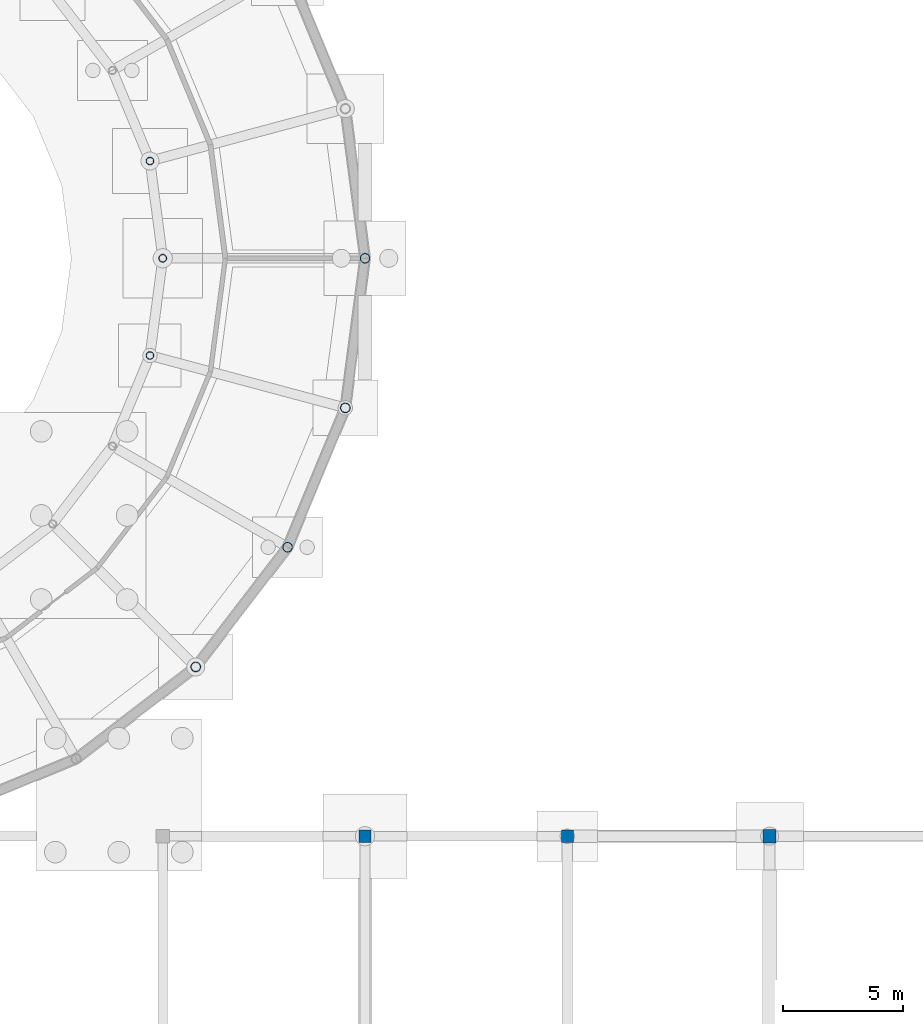
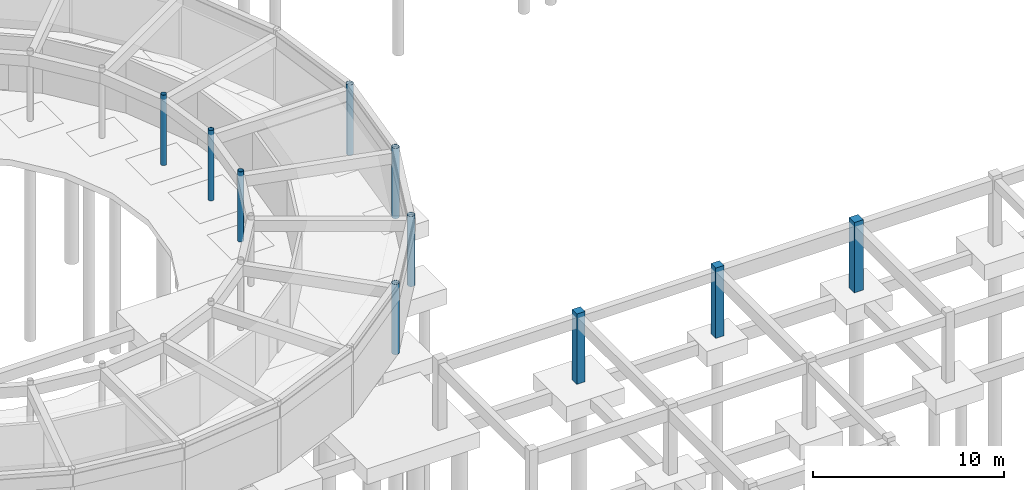
# One storey, part 15 of 43: 10 columns.
"""IFC4 building model written with IfcOpenShell, lengths in metres."""

from ifc_helpers import new_model, si_unit, derived_unit, direction, frame, origin, origin_2d, place, context, subcontext, project, spatial, rectangle, hollow_circle, extrude, material, material_profile, profile_set, type_object, element, save


model = new_model("IFC4")

# Units and contexts
model_context = context("Model", 3, precision=1e-05, world=origin(), true_north=direction((0.0, 1.0)))
body_context = subcontext(model_context, "Body", "Model", "MODEL_VIEW")
ifc_project = project(units=[si_unit("LENGTHUNIT", "METRE"), si_unit("AREAUNIT", "SQUARE_METRE"), si_unit("VOLUMEUNIT", "CUBIC_METRE"), si_unit("PLANEANGLEUNIT", "RADIAN"), si_unit("MASSUNIT", "GRAM", prefix="KILO"), derived_unit("THERMALTRANSMITTANCEUNIT", [(si_unit("POWERUNIT", "WATT"), 1), (si_unit("AREAUNIT", "SQUARE_METRE"), -1), (si_unit("THERMODYNAMICTEMPERATUREUNIT", "KELVIN"), -1)])], contexts=[model_context])

# Site, building, storey
site_placement = place(None, origin())
site = spatial("IfcSite", under=ifc_project, at=site_placement, CompositionType="ELEMENT")
building_placement = place(site_placement, origin())
building = spatial("IfcBuilding", under=site, at=building_placement, Name="Yasenodar Specialist Clinic", CompositionType="ELEMENT")
storey_placement = place(building_placement, frame((0.0, 0.0, -4.5)))
storey = spatial("IfcBuildingStorey", under=building, at=storey_placement, Name="B1", CompositionType="ELEMENT", Elevation=-4.5)

# Columns
ifc_material_1 = material(Name="Concrete C35/45", Category="concrete")
ifc_material_profile_1 = material_profile(ifc_material_1, rectangle(XDim=0.5, YDim=0.5, at=origin_2d()), Name="RC 500x500")
ifc_profile_set_1 = profile_set([ifc_material_profile_1], Name="Concrete C35/45")
column_type_1 = type_object("IfcColumnType", Name="COL-RC-500", PredefinedType="COLUMN", material=ifc_profile_set_1)
for number, where, z_axis, x_axis, name in (
    (1, (105.0, 34.800048828125, 0.0), (0.0, 0.0, 1.0), (1.0, 0.0, 0.0), "B1 Column V3-121"),
    (2, (113.39990234375, 34.800048828125, 0.0), (0.0, 0.0, 1.0), (1.0, 0.0, 0.0), "B1 Column V3-131"),
):
    element("IfcColumn", number, at=place(storey_placement, frame(where, z_axis=z_axis, x_axis=x_axis)), inside=storey, type_object=column_type_1, Name=name, PredefinedType="COLUMN", context=body_context, shape_type="SweptSolid", body=[
        extrude(rectangle(XDim=0.5, YDim=0.5, at=origin_2d()), origin(), (0.0, 0.0, 1.0), 4.5),
    ])
ifc_material_profile_2 = material_profile(ifc_material_1, rectangle(XDim=0.550048828125, YDim=0.550048828125, at=origin_2d()), Name="RC 550x550")
ifc_profile_set_2 = profile_set([ifc_material_profile_2], Name="Concrete C35/45")
column_type_2 = type_object("IfcColumnType", Name="COL-RC-550", PredefinedType="COLUMN", material=ifc_profile_set_2)
column_placement = place(storey_placement, frame((121.800048828125, 34.800048828125, 0.0), z_axis=(0.0, 0.0, 1.0), x_axis=(1.0, 0.0, 0.0)))
element("IfcColumn", 3, at=column_placement, inside=storey, type_object=column_type_2, Name="B1 Column V3-140", PredefinedType="COLUMN", context=body_context, shape_type="SweptSolid", body=[
    extrude(rectangle(XDim=0.550048828125, YDim=0.550048828125, at=origin_2d()), origin(), (0.0, 0.0, 1.0), 4.5),
])
ifc_material_2 = material(Name="Steel S355", Category="steel")
ifc_material_profile_3 = material_profile(ifc_material_2, hollow_circle(Radius=0.161865234375, WallThickness=0.01611328125, at=origin_2d()), Name="CHS 323.9x16")
ifc_profile_set_3 = profile_set([ifc_material_profile_3], Name="Steel S355")
column_type_3 = type_object("IfcColumnType", Name="COL-ST-CHS324", PredefinedType="COLUMN", material=ifc_profile_set_3)
for number, where, z_axis, x_axis, name in (
    (4, (96.60009765625, 58.800048828125, 0.0), (0.0, 0.0, 1.0), (1.0, 0.0, 0.0), "B1 Drum V1 Inner Column 01"),
    (5, (96.068359375, 62.837646484375, 0.0), (0.0, 0.0, 1.0), (1.0, 0.0, 0.0), "B1 Drum V1 Inner Column 02"),
    (6, (96.068359375, 54.762451171875, 0.0), (0.0, 0.0, 1.0), (1.0, 0.0, 0.0), "B1 Drum V1 Inner Column 24"),
):
    element("IfcColumn", number, at=place(storey_placement, frame(where, z_axis=z_axis, x_axis=x_axis)), inside=storey, type_object=column_type_3, Name=name, PredefinedType="COLUMN", context=body_context, shape_type="SweptSolid", body=[
        extrude(hollow_circle(Radius=0.161865234375, WallThickness=0.01611328125, at=origin_2d()), origin(), (0.0, 0.0, 1.0), 4.5),
    ])
ifc_material_profile_4 = material_profile(ifc_material_2, hollow_circle(Radius=0.203125, WallThickness=0.01611328125, at=origin_2d()), Name="CHS 406.4x16")
ifc_profile_set_4 = profile_set([ifc_material_profile_4], Name="Steel S355")
column_type_4 = type_object("IfcColumnType", Name="COL-ST-CHS406", PredefinedType="COLUMN", material=ifc_profile_set_4)
for number, where, z_axis, x_axis, name in (
    (7, (105.0, 58.800048828125, 0.0), (0.0, 0.0, 1.0), (1.0, 0.0, 0.0), "B1 Drum V1 Outer Column 01"),
    (8, (97.970703125, 41.829345703125, 0.0), (0.0, 0.0, 1.0), (1.0, 0.0, 0.0), "B1 Drum V1 Outer Column 22"),
    (9, (101.78466796875, 46.800048828125, 0.0), (0.0, 0.0, 1.0), (1.0, 0.0, 0.0), "B1 Drum V1 Outer Column 23"),
    (10, (104.18212890625, 52.58837890625, 0.0), (0.0, 0.0, 1.0), (1.0, 0.0, 0.0), "B1 Drum V1 Outer Column 24"),
):
    element("IfcColumn", number, at=place(storey_placement, frame(where, z_axis=z_axis, x_axis=x_axis)), inside=storey, type_object=column_type_4, Name=name, PredefinedType="COLUMN", context=body_context, shape_type="SweptSolid", body=[
        extrude(hollow_circle(Radius=0.203125, WallThickness=0.01611328125, at=origin_2d()), origin(), (0.0, 0.0, 1.0), 4.5),
    ])

save(model, "model.ifc")
